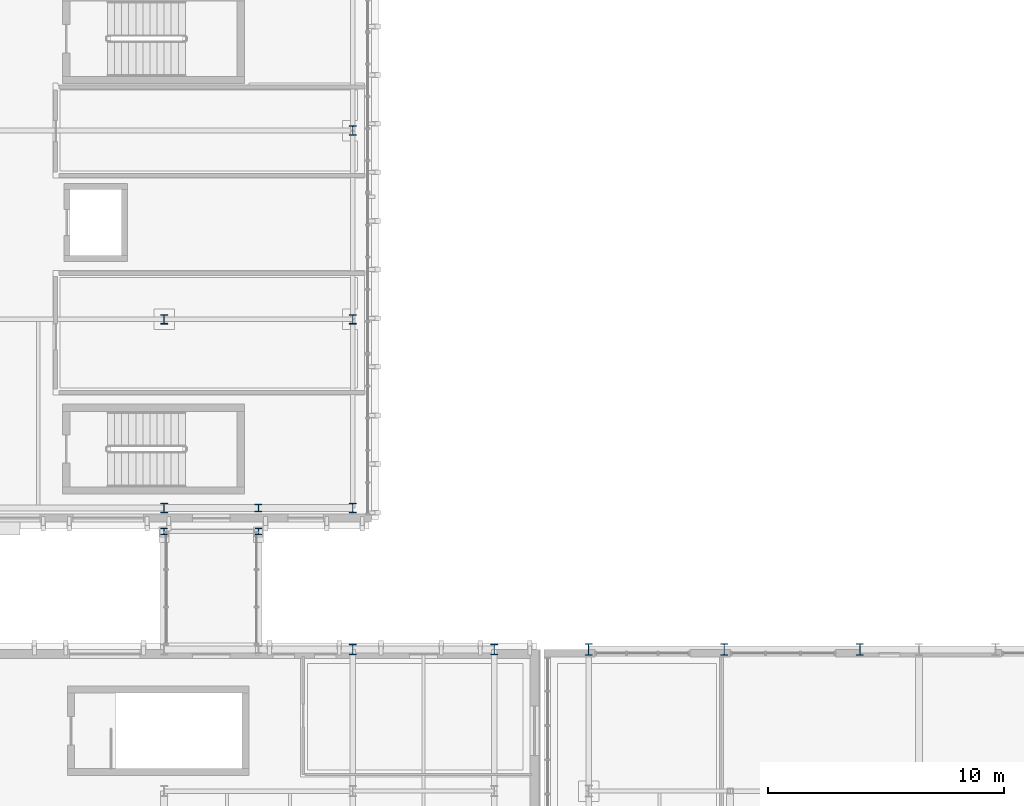
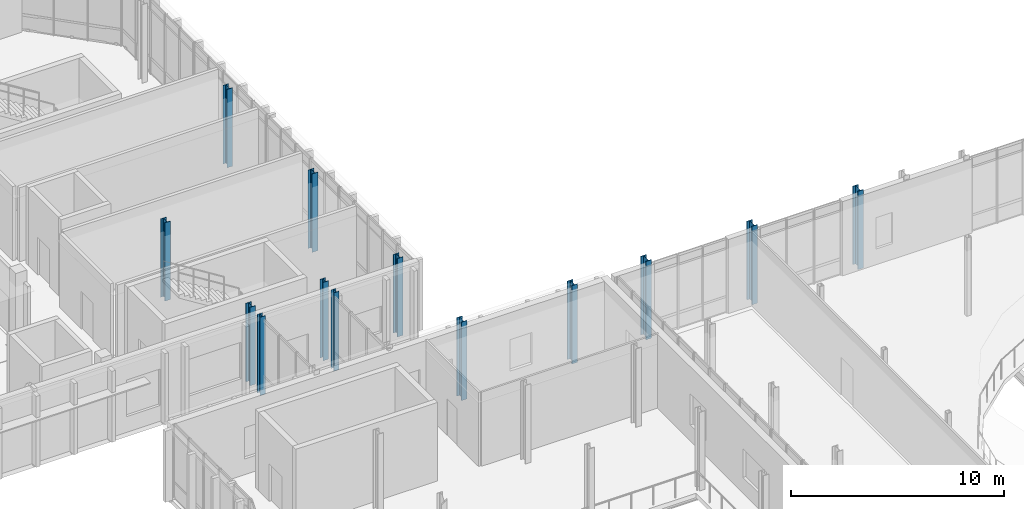
# One storey, part 5 of 100: 13 columns.
"""IFC4 building model written with IfcOpenShell, lengths in metres."""

from ifc_helpers import new_model, si_unit, direction, frame, origin, origin_2d, place, context, subcontext, project, spatial, i_section, extrude, material, material_profile, profile_set, type_object, element, save


model = new_model("IFC4")

# Units and contexts
model_context = context("Model", 3, precision=1e-05, world=origin(), true_north=direction((0.0, 1.0)))
body_context = subcontext(model_context, "Body", "Model", "MODEL_VIEW")
ifc_project = project(units=[si_unit("LENGTHUNIT", "METRE"), si_unit("AREAUNIT", "SQUARE_METRE"), si_unit("VOLUMEUNIT", "CUBIC_METRE"), si_unit("PLANEANGLEUNIT", "RADIAN"), si_unit("MASSUNIT", "GRAM", prefix="KILO")], contexts=[model_context])

# Site, building, storey
site_placement = place(None, origin())
site = spatial("IfcSite", under=ifc_project, at=site_placement, CompositionType="ELEMENT")
building_placement = place(site_placement, origin())
building = spatial("IfcBuilding", under=site, at=building_placement, Name="Cymarion Research Institute", CompositionType="ELEMENT")
storey_placement = place(building_placement, frame((0.0, 0.0, 9.300048828125)))
storey = spatial("IfcBuildingStorey", under=building, at=storey_placement, Name="L02", CompositionType="ELEMENT", Elevation=9.300048828125)

# Columns
ifc_material = material(Name="Steel S355", Category="steel")
ifc_material_profile_1 = material_profile(ifc_material, i_section(OverallWidth=0.300048828125, OverallDepth=0.5, WebThickness=0.014404296875, FlangeThickness=0.028076171875, FilletRadius=0.027099609375, at=origin_2d()), Name="HEB 500")
ifc_profile_set_1 = profile_set([ifc_material_profile_1], Name="Steel S355")
column_type_1 = type_object("IfcColumnType", Name="STRUCTURAL COLUMN C04 HEB 500", PredefinedType="COLUMN", material=ifc_profile_set_1)
for number, where, z_axis, x_axis, name in (
    (1, (56.60009765625, 41.5, 0.0), (0.0, 0.0, 1.0), (1.0, 0.0, 0.0), "L02 V2 column C04 #773"),
    (2, (62.35009765625, 41.5, 0.0), (0.0, 0.0, 1.0), (1.0, 0.0, 0.0), "L02 V2 column C04 #775"),
    (3, (68.10009765625, 41.5, 0.0), (0.0, 0.0, 1.0), (1.0, 0.0, 0.0), "L02 V2 column C04 #783"),
):
    element("IfcColumn", number, at=place(storey_placement, frame(where, z_axis=z_axis, x_axis=x_axis)), inside=storey, type_object=column_type_1, Name=name, PredefinedType="COLUMN", context=body_context, shape_type="SweptSolid", body=[
        extrude(i_section(OverallWidth=0.300048828125, OverallDepth=0.5, WebThickness=0.014404296875, FlangeThickness=0.028076171875, FilletRadius=0.027099609375, at=origin_2d()), origin(), (0.0, 0.0, 1.0), 4.5),
    ])
ifc_material_profile_2 = material_profile(ifc_material, i_section(OverallWidth=0.300048828125, OverallDepth=0.449951171875, WebThickness=0.013916015625, FlangeThickness=0.02587890625, FilletRadius=0.027099609375, at=origin_2d()), Name="HEB 450")
ifc_profile_set_2 = profile_set([ifc_material_profile_2], Name="Steel S355")
column_type_2 = type_object("IfcColumnType", Name="STRUCTURAL COLUMN C05 HEB 450", PredefinedType="COLUMN", material=ifc_profile_set_2)
for number, where, z_axis, x_axis, name in (
    (4, (46.60009765625, 41.5, 0.0), (0.0, 0.0, 1.0), (1.0, 0.0, 0.0), "L02 V3 column C05 #750"),
    (5, (52.60009765625, 41.5, 0.0), (0.0, 0.0, 1.0), (1.0, 0.0, 0.0), "L02 V3 column C05 #766"),
):
    element("IfcColumn", number, at=place(storey_placement, frame(where, z_axis=z_axis, x_axis=x_axis)), inside=storey, type_object=column_type_2, Name=name, PredefinedType="COLUMN", context=body_context, shape_type="SweptSolid", body=[
        extrude(i_section(OverallWidth=0.300048828125, OverallDepth=0.449951171875, WebThickness=0.013916015625, FlangeThickness=0.02587890625, FilletRadius=0.027099609375, at=origin_2d()), origin(), (0.0, 0.0, 1.0), 4.5),
    ])
ifc_material_profile_3 = material_profile(ifc_material, i_section(OverallWidth=0.300048828125, OverallDepth=0.39990234375, WebThickness=0.013427734375, FlangeThickness=0.02392578125, FilletRadius=0.027099609375, at=origin_2d()), Name="HEB 400")
ifc_profile_set_3 = profile_set([ifc_material_profile_3], Name="Steel S355")
column_type_3 = type_object("IfcColumnType", Name="STRUCTURAL COLUMN C06 HEB 400", PredefinedType="COLUMN", material=ifc_profile_set_3)
for number, where, z_axis, x_axis, name in (
    (6, (38.60009765625, 47.5, 0.0), (0.0, 0.0, 1.0), (1.0, 0.0, 0.0), "L02 V4 column C06 #732"),
    (7, (38.60009765625, 55.5, 0.0), (0.0, 0.0, 1.0), (1.0, 0.0, 0.0), "L02 V4 column C06 #733"),
    (8, (46.60009765625, 47.5, 0.0), (0.0, 0.0, 1.0), (1.0, 0.0, 0.0), "L02 V4 column C06 #751"),
    (9, (46.60009765625, 55.5, 0.0), (0.0, 0.0, 1.0), (1.0, 0.0, 0.0), "L02 V4 column C06 #752"),
    (10, (46.60009765625, 63.5, 0.0), (0.0, 0.0, 1.0), (1.0, 0.0, 0.0), "L02 V4 column C06 #753"),
):
    element("IfcColumn", number, at=place(storey_placement, frame(where, z_axis=z_axis, x_axis=x_axis)), inside=storey, type_object=column_type_3, Name=name, PredefinedType="COLUMN", context=body_context, shape_type="SweptSolid", body=[
        extrude(i_section(OverallWidth=0.300048828125, OverallDepth=0.39990234375, WebThickness=0.013427734375, FlangeThickness=0.02392578125, FilletRadius=0.027099609375, at=origin_2d()), origin(), (0.0, 0.0, 1.0), 4.5),
    ])
ifc_material_profile_4 = material_profile(ifc_material, i_section(OverallWidth=0.300048828125, OverallDepth=0.300048828125, WebThickness=0.010986328125, FlangeThickness=0.01904296875, FilletRadius=0.027099609375, at=origin_2d()), Name="HEB 300")
ifc_profile_set_4 = profile_set([ifc_material_profile_4], Name="Steel S355")
column_type_4 = type_object("IfcColumnType", Name="STRUCTURAL COLUMN C08 HEB 300", PredefinedType="COLUMN", material=ifc_profile_set_4)
column_placement = place(storey_placement, frame((42.60009765625, 47.5, 0.0), z_axis=(0.0, 0.0, 1.0), x_axis=(1.0, 0.0, 0.0)))
element("IfcColumn", 11, at=column_placement, inside=storey, type_object=column_type_4, Name="L02 V4 column C08 #745", PredefinedType="COLUMN", context=body_context, shape_type="SweptSolid", body=[
    extrude(i_section(OverallWidth=0.300048828125, OverallDepth=0.300048828125, WebThickness=0.010986328125, FlangeThickness=0.01904296875, FilletRadius=0.027099609375, at=origin_2d()), origin(), (0.0, 0.0, 1.0), 4.5),
])
ifc_material_profile_5 = material_profile(ifc_material, i_section(OverallWidth=0.280029296875, OverallDepth=0.280029296875, WebThickness=0.010498046875, FlangeThickness=0.01806640625, FilletRadius=0.02392578125, at=origin_2d()), Name="HEB 280")
ifc_profile_set_5 = profile_set([ifc_material_profile_5], Name="Steel S355")
column_type_5 = type_object("IfcColumnType", Name="STRUCTURAL COLUMN C09 HEB 280", PredefinedType="COLUMN", material=ifc_profile_set_5)
for number, where, z_axis, x_axis, name in (
    (12, (38.60009765625, 46.5, 0.0), (0.0, 0.0, 1.0), (1.0, 0.0, 0.0), "L02 V3 column C09 #731"),
    (13, (42.60009765625, 46.5, 0.0), (0.0, 0.0, 1.0), (1.0, 0.0, 0.0), "L02 V3 column C09 #744"),
):
    element("IfcColumn", number, at=place(storey_placement, frame(where, z_axis=z_axis, x_axis=x_axis)), inside=storey, type_object=column_type_5, Name=name, PredefinedType="COLUMN", context=body_context, shape_type="SweptSolid", body=[
        extrude(i_section(OverallWidth=0.280029296875, OverallDepth=0.280029296875, WebThickness=0.010498046875, FlangeThickness=0.01806640625, FilletRadius=0.02392578125, at=origin_2d()), origin(), (0.0, 0.0, 1.0), 4.5),
    ])

save(model, "model.ifc")
